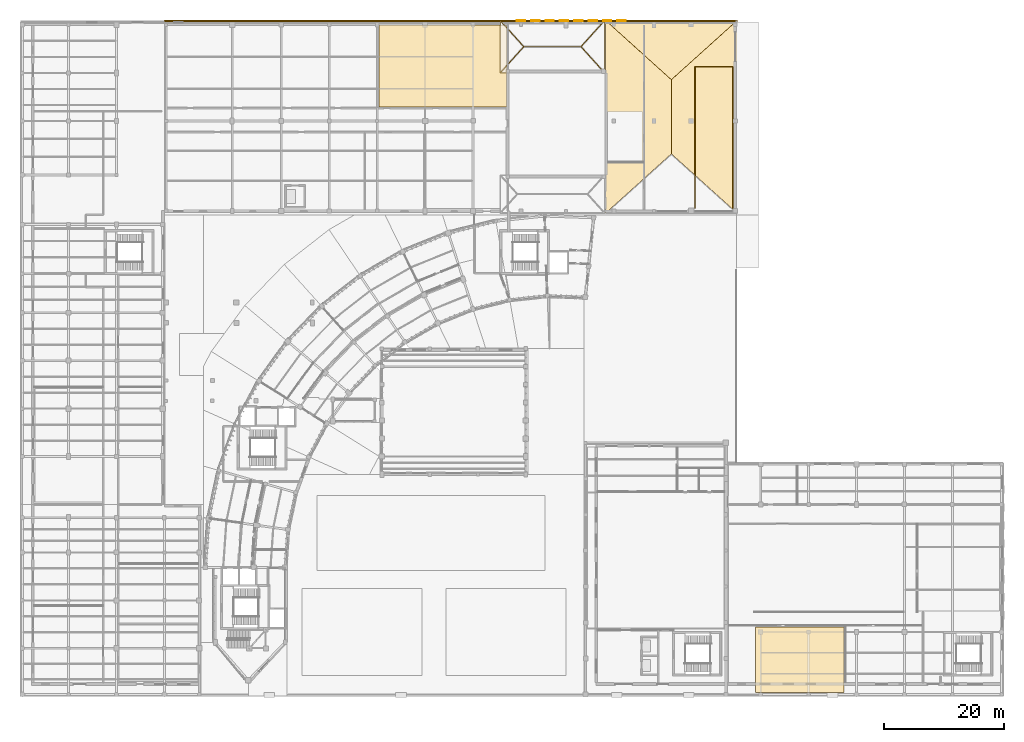
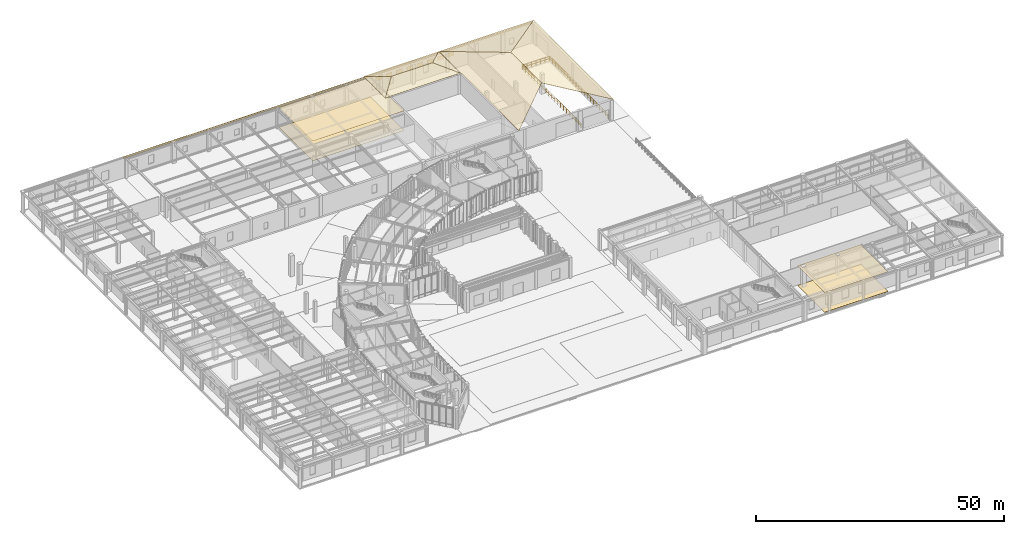
# One storey, part 66 of 68: 12 coverings, 8 shading devices, 1 railing.
"""IFC4 building model written with IfcOpenShell, lengths in metres."""

from ifc_helpers import new_model, si_unit, direction, frame, origin, origin_2d, place, context, subcontext, project, spatial, polyline, rectangle, circle, outline, extrude, material, layer, layer_set, type_object, element, save


model = new_model("IFC4")

# Units and contexts
model_context = context("Model", 3, precision=1e-05, world=origin(), true_north=direction((0.0, 1.0)))
body_context = subcontext(model_context, "Body", "Model", "MODEL_VIEW")
ifc_project = project(units=[si_unit("LENGTHUNIT", "METRE"), si_unit("AREAUNIT", "SQUARE_METRE"), si_unit("VOLUMEUNIT", "CUBIC_METRE"), si_unit("PLANEANGLEUNIT", "RADIAN"), si_unit("MASSUNIT", "GRAM", prefix="KILO"), si_unit("THERMODYNAMICTEMPERATUREUNIT", "KELVIN"), si_unit("POWERUNIT", "WATT")], contexts=[model_context])

# Site, building, storey
site_placement = place(None, origin())
site = spatial("IfcSite", under=ifc_project, at=site_placement, CompositionType="ELEMENT")
building_placement = place(site_placement, origin())
building = spatial("IfcBuilding", under=site, at=building_placement, Name="Solvatero Civic Police Headquarters", CompositionType="ELEMENT")
storey_placement = place(building_placement, origin())
storey = spatial("IfcBuildingStorey", under=building, at=storey_placement, Name="L00", CompositionType="ELEMENT", Elevation=0.0)

# Coverings
ifc_material_1 = material(Name="Mineral-Fibre Acoustic Tile", Category="gypsum")
ifc_layer_1 = layer(ifc_material_1, 0.02490234375)
ifc_layer_set_1 = layer_set([ifc_layer_1], Name="Mineral-Fibre Acoustic Tile")
covering_type_1 = type_object("IfcCoveringType", Name="COV-CEIL-AC", PredefinedType="CEILING", material=ifc_layer_set_1)
covering_1_placement = place(storey_placement, frame((0.0, 0.0, 4.85498046875)))
element("IfcCovering", 1, at=covering_1_placement, inside=storey, type_object=covering_type_1, Name="Acoustic Ceiling Segregated Juvenile Holding Suite", PredefinedType="CEILING", context=body_context, shape_type="SweptSolid", body=[
    extrude(outline(polyline([(85.679931640625, 102.8701171875), (64.320068359375, 102.8701171875), (64.320068359375, 116.47998046875), (85.679931640625, 116.47998046875), (85.679931640625, 102.8701171875)])), origin(), (0.0, 0.0, 1.0), 0.02490234375),
])
covering_2_placement = place(storey_placement, frame((0.0, 0.0, 4.85498046875)))
element("IfcCovering", 2, at=covering_2_placement, inside=storey, type_object=covering_type_1, Name="Acoustic Ceiling Male Officers Locker and Shower Suite", PredefinedType="CEILING", context=body_context, shape_type="SweptSolid", body=[
    extrude(outline(polyline([(127.1201171875, 5.1201171875), (127.1201171875, 16.080078125), (141.8798828125, 16.080078125), (141.8798828125, 5.1201171875), (127.1201171875, 5.1201171875)])), origin(), (0.0, 0.0, 1.0), 0.02490234375),
])
ifc_material_2 = material(Name="Venetian Terrazzo Stone", Category="masonry")
ifc_layer_2 = layer(ifc_material_2, 0.034912109375)
ifc_layer_set_2 = layer_set([ifc_layer_2], Name="Venetian Terrazzo Stone")
covering_type_2 = type_object("IfcCoveringType", Name="COV-FLR-TER", PredefinedType="FLOORING", material=ifc_layer_set_2)
covering_3_placement = place(storey_placement, origin())
element("IfcCovering", 3, at=covering_3_placement, inside=storey, type_object=covering_type_2, Name="Flooring Segregated Juvenile Holding Suite", PredefinedType="FLOORING", context=body_context, shape_type="SweptSolid", body=[
    extrude(outline(polyline([(85.679931640625, 102.8701171875), (64.320068359375, 102.8701171875), (64.320068359375, 116.47998046875), (85.679931640625, 116.47998046875), (85.679931640625, 102.8701171875)])), origin(), (0.0, 0.0, 1.0), 0.034912109375),
])
covering_4_placement = place(storey_placement, origin())
element("IfcCovering", 4, at=covering_4_placement, inside=storey, type_object=covering_type_2, Name="Flooring Male Officers Locker and Shower Suite", PredefinedType="FLOORING", context=body_context, shape_type="SweptSolid", body=[
    extrude(outline(polyline([(127.1201171875, 5.1201171875), (127.1201171875, 16.080078125), (141.8798828125, 16.080078125), (141.8798828125, 5.1201171875), (127.1201171875, 5.1201171875)])), origin(), (0.0, 0.0, 1.0), 0.034912109375),
])
ifc_material_3 = material(Name="Lombard Terracotta Clay Tile", Category="masonry")
ifc_layer_3 = layer(ifc_material_3, 0.06005859375)
ifc_layer_set_3 = layer_set([ifc_layer_3], Name="Lombard Terracotta Clay Tile")
covering_type_3 = type_object("IfcCoveringType", Name="COV-RF-TILE", PredefinedType="ROOFING", material=ifc_layer_set_3)
covering_5_placement = place(storey_placement, frame((102.080078125, 117.320068359375, 5.010009765625), z_axis=(-0.169898143286, 0.0, 0.985461628329), x_axis=(0.0, -1.0, 0.0)))
element("IfcCovering", 5, at=covering_5_placement, inside=storey, type_object=covering_type_3, Name="SLYP Lombard Terracotta Hipped Roof Covering W", PredefinedType="ROOFING", context=body_context, shape_type="SweptSolid", body=[
    extrude(outline(polyline([(0.0, 0.0), (32.239990234375, 0.0), (22.31005859375, 11.182596272105965), (9.93017578125, 11.182596272105965), (0.0, 0.0)])), origin(), (0.0, 0.0, -1.0), 0.06005859375),
])
covering_6_placement = place(storey_placement, frame((124.1201171875, 85.080078125, 5.010009765625), z_axis=(0.169898143286, 0.0, 0.985461628329), x_axis=(0.0, 1.0, 0.0)))
element("IfcCovering", 6, at=covering_6_placement, inside=storey, type_object=covering_type_3, Name="SLYP Lombard Terracotta Hipped Roof Covering E", PredefinedType="ROOFING", context=body_context, shape_type="SweptSolid", body=[
    extrude(outline(polyline([(0.0, 0.0), (32.239990234375, 0.0), (22.309814453125, 11.182596272105965), (9.929931640625, 11.182596272105965), (0.0, 0.0)])), origin(), (0.0, 0.0, -1.0), 0.06005859375),
])
covering_7_placement = place(storey_placement, frame((124.1201171875, 117.320068359375, 5.010009765625), z_axis=(0.0, 0.187917638623, 0.982184789688), x_axis=(-1.0, 0.0, 0.0)))
element("IfcCovering", 7, at=covering_7_placement, inside=storey, type_object=covering_type_3, Name="SLYP Lombard Terracotta Hipped Roof Covering N", PredefinedType="ROOFING", context=body_context, shape_type="SweptSolid", body=[
    extrude(outline(polyline([(0.0, 0.0), (22.0400390625, 0.0), (11.02001953125, 10.110292773323172), (0.0, 0.0)])), origin(), (0.0, 0.0, -1.0), 0.06005859375),
])
covering_8_placement = place(storey_placement, frame((84.5, 108.5, 5.010009765625), z_axis=(0.0, -0.283361713187, 0.959013107053), x_axis=(1.0, 0.0, 0.0)))
element("IfcCovering", 8, at=covering_8_placement, inside=storey, type_object=covering_type_3, Name="CUSYN Lombard Terracotta Hipped Roof Covering S", PredefinedType="ROOFING", context=body_context, shape_type="SweptSolid", body=[
    extrude(outline(polyline([(0.0, 0.0), (17.5, 0.0), (13.530029296875, 4.587948080574357), (3.969970703125, 4.587948080574357), (0.0, 0.0)])), origin(), (0.0, 0.0, -1.0), 0.06005859375),
])
covering_9_placement = place(storey_placement, frame((102.0, 117.300048828125, 5.010009765625), z_axis=(0.0, 0.283347253261, 0.959017379441), x_axis=(-1.0, 0.0, 0.0)))
element("IfcCovering", 9, at=covering_9_placement, inside=storey, type_object=covering_type_3, Name="CUSYN Lombard Terracotta Hipped Roof Covering N", PredefinedType="ROOFING", context=body_context, shape_type="SweptSolid", body=[
    extrude(outline(polyline([(0.0, 0.0), (17.5, 0.0), (13.530029296875, 4.588182215155242), (3.969970703125, 4.588182215155242), (0.0, 0.0)])), origin(), (0.0, 0.0, -1.0), 0.06005859375),
])
covering_10_placement = place(storey_placement, frame((84.5, 117.300048828125, 5.010009765625), z_axis=(-0.311208939751, 0.0, 0.950341515361), x_axis=(0.0, -1.0, 0.0)))
element("IfcCovering", 10, at=covering_10_placement, inside=storey, type_object=covering_type_3, Name="CUSYN Lombard Terracotta Hipped Roof Covering W", PredefinedType="ROOFING", context=body_context, shape_type="SweptSolid", body=[
    extrude(outline(polyline([(0.0, 0.0), (8.800048828125, 0.0), (4.400146484375, 4.177414791372769), (0.0, 0.0)])), origin(), (0.0, 0.0, -1.0), 0.06005859375),
])
covering_11_placement = place(storey_placement, frame((102.0, 108.5, 5.010009765625), z_axis=(0.311208939751, 0.0, 0.950341515361), x_axis=(0.0, 1.0, 0.0)))
element("IfcCovering", 11, at=covering_11_placement, inside=storey, type_object=covering_type_3, Name="CUSYN Lombard Terracotta Hipped Roof Covering E", PredefinedType="ROOFING", context=body_context, shape_type="SweptSolid", body=[
    extrude(outline(polyline([(0.0, 0.0), (8.800048828125, 0.0), (4.39990234375, 4.177414791372769), (0.0, 0.0)])), origin(), (0.0, 0.0, -1.0), 0.06005859375),
])
ifc_material_4 = material(Name="Cream Limestone Ashlar", Category="masonry")
ifc_layer_4 = layer(ifc_material_4, 0.10009765625)
ifc_layer_set_4 = layer_set([ifc_layer_4], Name="Cream Limestone Ashlar")
covering_type_4 = type_object("IfcCoveringType", Name="COV-TRIM-STONE", PredefinedType="CLADDING", material=ifc_layer_set_4)
covering_12_placement = place(storey_placement, frame((76.125, 117.219970703125, 4.48974609375), z_axis=(0.0, 0.0, 1.0), x_axis=(1.0, 0.0, 0.0)))
element("IfcCovering", 12, at=covering_12_placement, inside=storey, type_object=covering_type_4, Name="Classical Limestone Trim TRIM-V7-L00-N", PredefinedType="CLADDING", context=body_context, shape_type="SweptSolid", body=[
    extrude(rectangle(XDim=95.25, YDim=0.260009765625, at=origin_2d()), origin(), (0.0, 0.0, 1.0), 0.320068359375),
])

# Railing
ifc_material_5 = material(Name="Painted Galvanized Steel", Category="steel")
railing_type = type_object("IfcRailingType", Name="RL-GRD-110", PredefinedType="GUARDRAIL", material=ifc_material_5)
railing_placement = place(storey_placement, frame((117.050048828125, 85.949951171875, 0.0)))
element("IfcRailing", 13, at=railing_placement, inside=storey, type_object=railing_type, Name="L00 Vehicle Ramp Well Guardrail", PredefinedType="GUARDRAIL", context=body_context, shape_type="SweptSolid", body=[
    extrude(circle(Radius=0.02392578125, at=origin_2d()), frame((0.0, 0.0, 1.09619140625), z_axis=(0.0, 1.0, 0.0), x_axis=(-1.0, 0.0, 0.0)), (0.0, 0.0, 1.0), 23.60009765625),
    extrude(circle(Radius=0.02392578125, at=origin_2d()), frame((0.0, 0.0, 0.5361328125), z_axis=(0.0, 1.0, 0.0), x_axis=(-1.0, 0.0, 0.0)), (0.0, 0.0, 1.0), 23.60009765625),
    extrude(circle(Radius=0.02392578125, at=origin_2d()), frame((0.0, 23.60009765625, 1.09619140625), z_axis=(1.0, 0.0, 0.0), x_axis=(0.0, 1.0, 0.0)), (0.0, 0.0, 1.0), 6.300048828125),
    extrude(circle(Radius=0.02392578125, at=origin_2d()), frame((0.0, 23.60009765625, 0.5361328125), z_axis=(1.0, 0.0, 0.0), x_axis=(0.0, 1.0, 0.0)), (0.0, 0.0, 1.0), 6.300048828125),
    extrude(circle(Radius=0.02392578125, at=origin_2d()), frame((6.300048828125, 23.60009765625, 1.09619140625), z_axis=(0.0, -1.0, 0.0), x_axis=(1.0, 0.0, 0.0)), (0.0, 0.0, 1.0), 23.60009765625),
    extrude(circle(Radius=0.02392578125, at=origin_2d()), frame((6.300048828125, 23.60009765625, 0.5361328125), z_axis=(0.0, -1.0, 0.0), x_axis=(1.0, 0.0, 0.0)), (0.0, 0.0, 1.0), 23.60009765625),
    extrude(circle(Radius=0.02099609375, at=origin_2d()), origin(), (0.0, 0.0, 1.0), 1.072021484375),
    extrude(circle(Radius=0.02099609375, at=origin_2d()), frame((0.0, 1.179931640625, 0.0)), (0.0, 0.0, 1.0), 1.072021484375),
    extrude(circle(Radius=0.02099609375, at=origin_2d()), frame((0.0, 2.360107421875, 0.0)), (0.0, 0.0, 1.0), 1.072021484375),
    extrude(circle(Radius=0.02099609375, at=origin_2d()), frame((0.0, 3.5400390625, 0.0)), (0.0, 0.0, 1.0), 1.072021484375),
    extrude(circle(Radius=0.02099609375, at=origin_2d()), frame((0.0, 4.719970703125, 0.0)), (0.0, 0.0, 1.0), 1.072021484375),
    extrude(circle(Radius=0.02099609375, at=origin_2d()), frame((0.0, 5.89990234375, 0.0)), (0.0, 0.0, 1.0), 1.072021484375),
    extrude(circle(Radius=0.02099609375, at=origin_2d()), frame((0.0, 7.080078125, 0.0)), (0.0, 0.0, 1.0), 1.072021484375),
    extrude(circle(Radius=0.02099609375, at=origin_2d()), frame((0.0, 8.260009765625, 0.0)), (0.0, 0.0, 1.0), 1.072021484375),
    extrude(circle(Radius=0.02099609375, at=origin_2d()), frame((0.0, 9.43994140625, 0.0)), (0.0, 0.0, 1.0), 1.072021484375),
    extrude(circle(Radius=0.02099609375, at=origin_2d()), frame((0.0, 10.6201171875, 0.0)), (0.0, 0.0, 1.0), 1.072021484375),
    extrude(circle(Radius=0.02099609375, at=origin_2d()), frame((0.0, 11.800048828125, 0.0)), (0.0, 0.0, 1.0), 1.072021484375),
    extrude(circle(Radius=0.02099609375, at=origin_2d()), frame((0.0, 12.97998046875, 0.0)), (0.0, 0.0, 1.0), 1.072021484375),
    extrude(circle(Radius=0.02099609375, at=origin_2d()), frame((0.0, 14.16015625, 0.0)), (0.0, 0.0, 1.0), 1.072021484375),
    extrude(circle(Radius=0.02099609375, at=origin_2d()), frame((0.0, 15.340087890625, 0.0)), (0.0, 0.0, 1.0), 1.072021484375),
    extrude(circle(Radius=0.02099609375, at=origin_2d()), frame((0.0, 16.52001953125, 0.0)), (0.0, 0.0, 1.0), 1.072021484375),
    extrude(circle(Radius=0.02099609375, at=origin_2d()), frame((0.0, 17.7001953125, 0.0)), (0.0, 0.0, 1.0), 1.072021484375),
    extrude(circle(Radius=0.02099609375, at=origin_2d()), frame((0.0, 18.880126953125, 0.0)), (0.0, 0.0, 1.0), 1.072021484375),
    extrude(circle(Radius=0.02099609375, at=origin_2d()), frame((0.0, 20.06005859375, 0.0)), (0.0, 0.0, 1.0), 1.072021484375),
    extrude(circle(Radius=0.02099609375, at=origin_2d()), frame((0.0, 21.239990234375, 0.0)), (0.0, 0.0, 1.0), 1.072021484375),
    extrude(circle(Radius=0.02099609375, at=origin_2d()), frame((0.0, 22.420166015625, 0.0)), (0.0, 0.0, 1.0), 1.072021484375),
    extrude(circle(Radius=0.02099609375, at=origin_2d()), frame((0.0, 23.60009765625, 0.0)), (0.0, 0.0, 1.0), 1.072021484375),
    extrude(circle(Radius=0.02099609375, at=origin_2d()), frame((1.050048828125, 23.60009765625, 0.0)), (0.0, 0.0, 1.0), 1.072021484375),
    extrude(circle(Radius=0.02099609375, at=origin_2d()), frame((2.10009765625, 23.60009765625, 0.0)), (0.0, 0.0, 1.0), 1.072021484375),
    extrude(circle(Radius=0.02099609375, at=origin_2d()), frame((3.14990234375, 23.60009765625, 0.0)), (0.0, 0.0, 1.0), 1.072021484375),
    extrude(circle(Radius=0.02099609375, at=origin_2d()), frame((4.199951171875, 23.60009765625, 0.0)), (0.0, 0.0, 1.0), 1.072021484375),
    extrude(circle(Radius=0.02099609375, at=origin_2d()), frame((5.25, 23.60009765625, 0.0)), (0.0, 0.0, 1.0), 1.072021484375),
    extrude(circle(Radius=0.02099609375, at=origin_2d()), frame((6.300048828125, 23.60009765625, 0.0)), (0.0, 0.0, 1.0), 1.072021484375),
    extrude(circle(Radius=0.02099609375, at=origin_2d()), frame((6.300048828125, 22.420166015625, 0.0)), (0.0, 0.0, 1.0), 1.072021484375),
    extrude(circle(Radius=0.02099609375, at=origin_2d()), frame((6.300048828125, 21.239990234375, 0.0)), (0.0, 0.0, 1.0), 1.072021484375),
    extrude(circle(Radius=0.02099609375, at=origin_2d()), frame((6.300048828125, 20.06005859375, 0.0)), (0.0, 0.0, 1.0), 1.072021484375),
    extrude(circle(Radius=0.02099609375, at=origin_2d()), frame((6.300048828125, 18.880126953125, 0.0)), (0.0, 0.0, 1.0), 1.072021484375),
    extrude(circle(Radius=0.02099609375, at=origin_2d()), frame((6.300048828125, 17.7001953125, 0.0)), (0.0, 0.0, 1.0), 1.072021484375),
    extrude(circle(Radius=0.02099609375, at=origin_2d()), frame((6.300048828125, 16.52001953125, 0.0)), (0.0, 0.0, 1.0), 1.072021484375),
    extrude(circle(Radius=0.02099609375, at=origin_2d()), frame((6.300048828125, 15.340087890625, 0.0)), (0.0, 0.0, 1.0), 1.072021484375),
    extrude(circle(Radius=0.02099609375, at=origin_2d()), frame((6.300048828125, 14.16015625, 0.0)), (0.0, 0.0, 1.0), 1.072021484375),
    extrude(circle(Radius=0.02099609375, at=origin_2d()), frame((6.300048828125, 12.97998046875, 0.0)), (0.0, 0.0, 1.0), 1.072021484375),
    extrude(circle(Radius=0.02099609375, at=origin_2d()), frame((6.300048828125, 11.800048828125, 0.0)), (0.0, 0.0, 1.0), 1.072021484375),
    extrude(circle(Radius=0.02099609375, at=origin_2d()), frame((6.300048828125, 10.6201171875, 0.0)), (0.0, 0.0, 1.0), 1.072021484375),
    extrude(circle(Radius=0.02099609375, at=origin_2d()), frame((6.300048828125, 9.43994140625, 0.0)), (0.0, 0.0, 1.0), 1.072021484375),
    extrude(circle(Radius=0.02099609375, at=origin_2d()), frame((6.300048828125, 8.260009765625, 0.0)), (0.0, 0.0, 1.0), 1.072021484375),
    extrude(circle(Radius=0.02099609375, at=origin_2d()), frame((6.300048828125, 7.080078125, 0.0)), (0.0, 0.0, 1.0), 1.072021484375),
    extrude(circle(Radius=0.02099609375, at=origin_2d()), frame((6.300048828125, 5.89990234375, 0.0)), (0.0, 0.0, 1.0), 1.072021484375),
    extrude(circle(Radius=0.02099609375, at=origin_2d()), frame((6.300048828125, 4.719970703125, 0.0)), (0.0, 0.0, 1.0), 1.072021484375),
    extrude(circle(Radius=0.02099609375, at=origin_2d()), frame((6.300048828125, 3.5400390625, 0.0)), (0.0, 0.0, 1.0), 1.072021484375),
    extrude(circle(Radius=0.02099609375, at=origin_2d()), frame((6.300048828125, 2.360107421875, 0.0)), (0.0, 0.0, 1.0), 1.072021484375),
    extrude(circle(Radius=0.02099609375, at=origin_2d()), frame((6.300048828125, 1.179931640625, 0.0)), (0.0, 0.0, 1.0), 1.072021484375),
    extrude(circle(Radius=0.02099609375, at=origin_2d()), frame((6.300048828125, 0.0, 0.0)), (0.0, 0.0, 1.0), 1.072021484375),
])

# Shading devices
ifc_material_6 = material(Name="Anodized Bronze Aluminium", Category="aluminium")
ifc_layer_5 = layer(ifc_material_6, 0.1201171875)
ifc_layer_set_5 = layer_set([ifc_layer_5], Name="Anodized Bronze Aluminium")
shading_device_type = type_object("IfcShadingDeviceType", Name="SHD-LVR-120", PredefinedType="JALOUSIE", material=ifc_layer_set_5)
for number, where, z_axis, x_axis, name in (
    (14, (88.0, 117.219970703125, 2.974853515625), (0.0, 0.0, 1.0), (1.0, 0.0, 0.0), "Acoustic Intake Louvre N-01"),
    (15, (90.39990234375, 117.219970703125, 2.974853515625), (0.0, 0.0, 1.0), (1.0, 0.0, 0.0), "Acoustic Intake Louvre N-02"),
    (16, (92.800048828125, 117.219970703125, 2.974853515625), (0.0, 0.0, 1.0), (1.0, 0.0, 0.0), "Acoustic Intake Louvre N-03"),
    (17, (95.199951171875, 117.219970703125, 2.974853515625), (0.0, 0.0, 1.0), (1.0, 0.0, 0.0), "Acoustic Intake Louvre N-04"),
    (18, (97.60009765625, 117.219970703125, 2.974853515625), (0.0, 0.0, 1.0), (1.0, 0.0, 0.0), "Acoustic Intake Louvre N-05"),
    (19, (100.0, 117.219970703125, 2.974853515625), (0.0, 0.0, 1.0), (1.0, 0.0, 0.0), "Acoustic Intake Louvre N-06"),
    (20, (102.39990234375, 117.219970703125, 2.974853515625), (0.0, 0.0, 1.0), (1.0, 0.0, 0.0), "Acoustic Intake Louvre N-07"),
    (21, (104.800048828125, 117.219970703125, 2.974853515625), (0.0, 0.0, 1.0), (1.0, 0.0, 0.0), "Acoustic Intake Louvre N-08"),
):
    element("IfcShadingDevice", number, at=place(storey_placement, frame(where, z_axis=z_axis, x_axis=x_axis)), inside=storey, type_object=shading_device_type, Name=name, PredefinedType="JALOUSIE", context=body_context, shape_type="SweptSolid", body=[
        extrude(rectangle(XDim=1.39990234375, YDim=0.139892578125, at=origin_2d()), origin(), (0.0, 0.0, 1.0), 0.85009765625),
    ])

save(model, "model.ifc")
